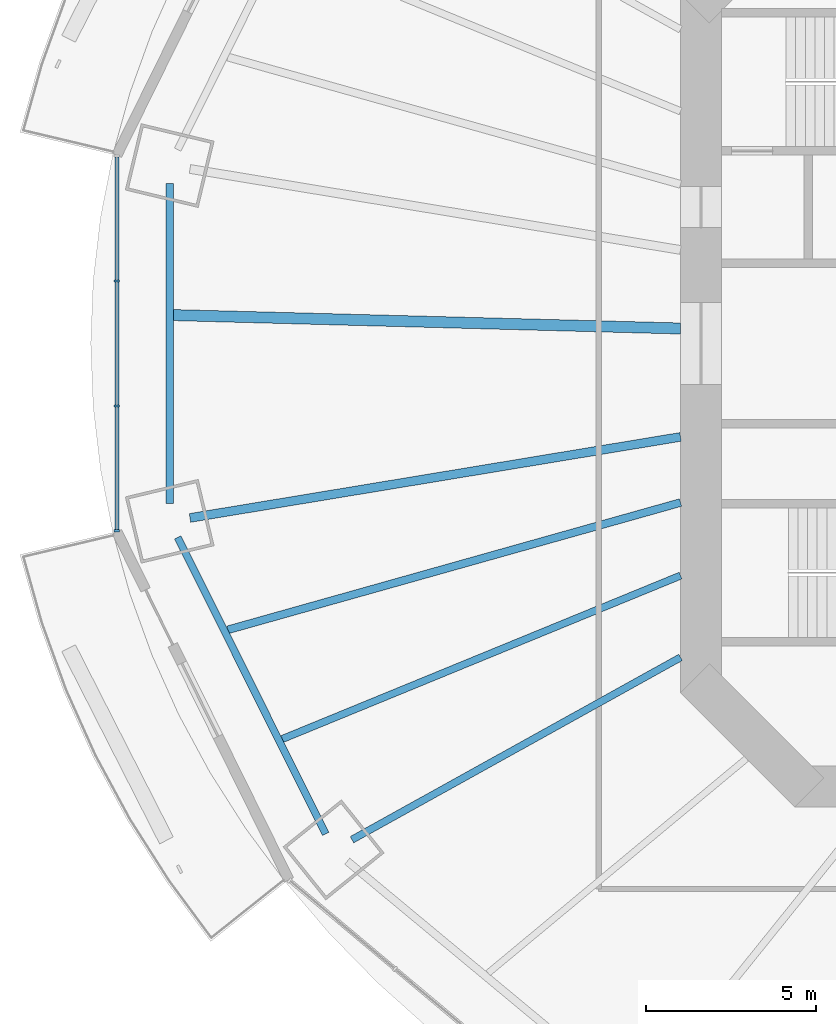
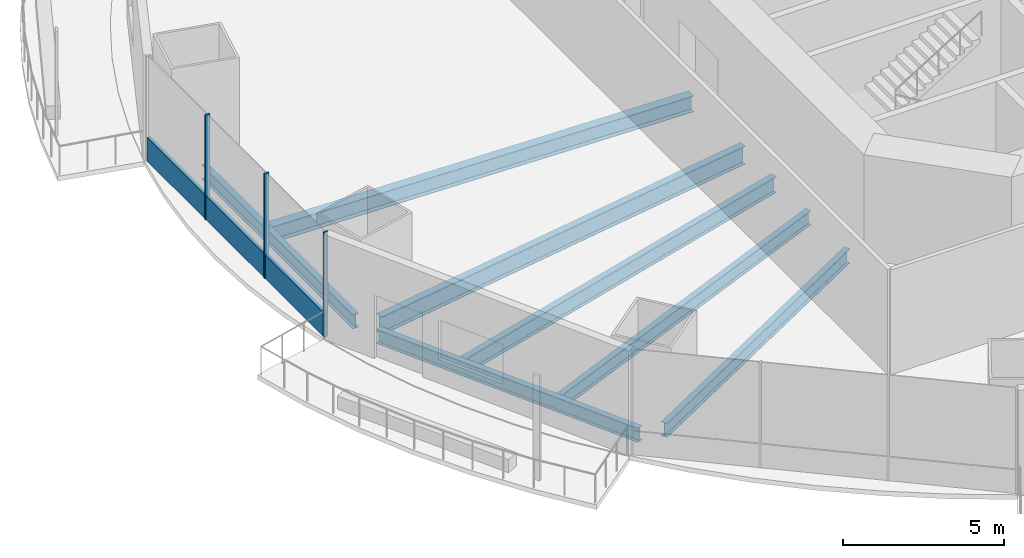
# One storey, part 3 of 21: 7 beams, 4 members, 1 element without a shape of its own.
"""IFC4 building model written with IfcOpenShell, lengths in metres."""

import ifcopenshell
import ifcopenshell.guid

model = None  # the IFC model being written
_history = None  # IfcOwnerHistory: only IFC2X3 demands one
_inside = {}  # id of a spatial element -> (the spatial element, [elements in it])
_under = {}  # id of a project, library or spatial element -> (it, [spatial elements below it])
_declared = {}  # id of a project -> (the project, [libraries it declares])
_typed = {}  # id of a type object -> (the type object, [elements of that type])
_made_of = {}  # id of a material, layer set ... -> (it, [elements and type objects made of it])


def new_model(schema):
    """Start an empty IFC model of exactly this schema.

    Asked for "IFC4X3", IfcOpenShell would pick the latest addendum, in which some entities
    have other attributes; the version numbers below select the first issue.
    IFC2X3 requires an IfcOwnerHistory on every rooted entity: one is made here for all.
    """
    global model, _history
    if schema == "IFC4X3":
        model = ifcopenshell.file(schema_version=(4, 3, 0, 0))
    else:
        model = ifcopenshell.file(schema=schema)
    _inside.clear()
    _under.clear()
    _declared.clear()
    _typed.clear()
    _made_of.clear()
    _history = None
    if model.schema == "IFC2X3":
        org = make("IfcOrganization", Name="unknown")
        user = make(
            "IfcPersonAndOrganization",
            ThePerson=make("IfcPerson", FamilyName="unknown"),
            TheOrganization=org,
        )
        app = make(
            "IfcApplication",
            ApplicationDeveloper=org,
            Version="unknown",
            ApplicationFullName="unknown",
            ApplicationIdentifier="unknown",
        )
        _history = make(
            "IfcOwnerHistory",
            OwningUser=user,
            OwningApplication=app,
            ChangeAction="ADDED",
            CreationDate=0,
        )
    return model


def make(cls, **values):
    """One entity of the class cls with the attributes given. An attribute that is None is left unset."""
    return model.create_entity(
        cls, **{name: value for name, value in values.items() if value is not None}
    )


def rooted(cls, **values):
    """An entity with a GlobalId (a new one), such as an element, a storey or a relation."""
    return make(cls, GlobalId=ifcopenshell.guid.new(), OwnerHistory=_history, **values)


def si_unit(unit_type, name, prefix=None):
    """IfcSIUnit, for example si_unit("LENGTHUNIT", "METRE", prefix="MILLI")."""
    return make("IfcSIUnit", UnitType=unit_type, Prefix=prefix, Name=name)


def assignment(units):
    """IfcUnitAssignment: the units of a project."""
    return None if units is None else make("IfcUnitAssignment", Units=units)


def point(xyz):
    """IfcCartesianPoint."""
    return None if xyz is None else make("IfcCartesianPoint", Coordinates=xyz)


def direction(xyz):
    """IfcDirection."""
    return None if xyz is None else make("IfcDirection", DirectionRatios=xyz)


def frame(location, z_axis=None, x_axis=None):
    """IfcAxis2Placement3D, a coordinate frame: its origin and axes. An axis left out is left unset."""
    return make(
        "IfcAxis2Placement3D",
        Location=point(location),
        Axis=direction(z_axis),
        RefDirection=direction(x_axis),
    )


def frame_2d(location, x_axis=None):
    """IfcAxis2Placement2D, a coordinate frame in the plane: its origin and x axis."""
    return make(
        "IfcAxis2Placement2D", Location=point(location), RefDirection=direction(x_axis)
    )


def origin():
    """The frame at (0, 0, 0) with its axes left unset."""
    return frame((0.0, 0.0, 0.0))


def origin_2d():
    """The frame at (0, 0) in the plane with its x axis left unset."""
    return frame_2d((0.0, 0.0))


def place(relative_to, where):
    """IfcLocalPlacement: puts the frame where relative to a parent placement (None: the world)."""
    return make(
        "IfcLocalPlacement", PlacementRelTo=relative_to, RelativePlacement=where
    )


def context(
    kind, dimensions, precision=None, world=None, true_north=None, identifier=None
):
    """IfcGeometricRepresentationContext, for example the 3D "Model" context."""
    return make(
        "IfcGeometricRepresentationContext",
        ContextIdentifier=identifier,
        ContextType=kind,
        CoordinateSpaceDimension=dimensions,
        Precision=precision,
        WorldCoordinateSystem=world,
        TrueNorth=true_north,
    )


def subcontext(parent, identifier, kind, view, scale=None):
    """IfcGeometricRepresentationSubContext, for example "Body" below "Model"."""
    return make(
        "IfcGeometricRepresentationSubContext",
        ContextIdentifier=identifier,
        ContextType=kind,
        ParentContext=parent,
        TargetScale=scale,
        TargetView=view,
    )


def project(units=None, contexts=None):
    """IfcProject with its units and contexts."""
    return rooted(
        "IfcProject",
        Name="project",
        RepresentationContexts=contexts,
        UnitsInContext=assignment(units),
    )


def spatial(cls, under=None, at=None, **own):
    """A site, building, storey or space (cls), placed at a placement, below another one or the project."""
    s = rooted(cls, ObjectPlacement=at, **own)
    if under is not None:
        _under.setdefault(under.id(), (under, []))[1].append(s)
    return s


def profile(cls, at=None, kind="AREA", **sizes):
    """A parametric profile (cls). Its sizes go by their IFC names, for example OverallWidth=200.0."""
    return make(cls, ProfileType=kind, Position=at, **sizes)


def rectangle(**sizes):
    """IfcRectangleProfileDef."""
    return profile("IfcRectangleProfileDef", **sizes)


def i_section(**sizes):
    """IfcIShapeProfileDef."""
    return profile("IfcIShapeProfileDef", **sizes)


def extrude(swept, where, along, depth):
    """IfcExtrudedAreaSolid: the profile swept, set in the frame where, extruded along a direction by depth."""
    return make(
        "IfcExtrudedAreaSolid",
        SweptArea=swept,
        Position=where,
        ExtrudedDirection=direction(along),
        Depth=depth,
    )


def shape(context_of_items, identifier, shape_type, items):
    """IfcShapeRepresentation: the items that make up one representation, for example the "Body"."""
    return make(
        "IfcShapeRepresentation",
        ContextOfItems=context_of_items,
        RepresentationIdentifier=identifier,
        RepresentationType=shape_type,
        Items=items,
    )


def material(Name=None, Category=None):
    """IfcMaterial."""
    return make("IfcMaterial", Name=Name, Category=Category)


def material_profile(
    of_material, cross_section, Name=None, Category=None, Priority=None
):
    """IfcMaterialProfile: a cross section and its material."""
    return make(
        "IfcMaterialProfile",
        Name=Name,
        Material=of_material,
        Profile=cross_section,
        Priority=Priority,
        Category=Category,
    )


def profile_set(profiles, Name=None, composite=None):
    """IfcMaterialProfileSet."""
    return make(
        "IfcMaterialProfileSet",
        Name=Name,
        MaterialProfiles=profiles,
        CompositeProfile=composite,
    )


def made_of(thing, what):
    """Note that an element or type object is made of a material, layer set ...; save() writes the relation."""
    if what is not None:
        _made_of.setdefault(what.id(), (what, []))[1].append(thing)
    return thing


def type_object(cls, material=None, **own):
    """A type object (cls), such as IfcWallType, which elements share."""
    return made_of(rooted(cls, **own), material)


def element(
    cls,
    number,
    at=None,
    inside=None,
    cuts=None,
    type_object=None,
    material=None,
    context=None,
    identifier="Body",
    shape_type=None,
    held_by="IfcProductDefinitionShape",
    body=None,
    shapes=None,
    **own,
):
    """One element of the class cls, such as IfcWall. Its Tag is "e" and its number.

    at: its placement. inside: the storey or other place that contains it. cuts: it is an
    opening in that element (IfcRelVoidsElement). A single representation is given by context,
    identifier, shape_type and body (its items); several are given by shapes. held_by: the class
    of the entity that holds the representations. save() writes the other relations.
    """
    e = rooted(cls, Tag="e%d" % number, ObjectPlacement=at, **own)
    if body is not None:
        shapes = [shape(context, identifier, shape_type, body)]
    if shapes is not None:
        e.Representation = make(held_by, Representations=shapes)
    if inside is not None:
        _inside.setdefault(inside.id(), (inside, []))[1].append(e)
    if cuts is not None:
        rooted(
            "IfcRelVoidsElement", RelatingBuildingElement=cuts, RelatedOpeningElement=e
        )
    if type_object is not None:
        _typed.setdefault(type_object.id(), (type_object, []))[1].append(e)
    return made_of(e, material)


def aggregate(whole, parts):
    """IfcRelAggregates: a whole, such as a stair, and the parts it consists of."""
    return rooted("IfcRelAggregates", RelatingObject=whole, RelatedObjects=parts)


def save(model, path):
    """Write the relations noted so far, then the file.

    IfcRelAggregates (storeys below a building ...), IfcRelContainedInSpatialStructure (elements
    in a storey), IfcRelDefinesByType, IfcRelAssociatesMaterial and IfcRelDeclares: one each for
    every whole, place, type object, material and project.
    """
    for whole, parts in _under.values():
        aggregate(whole, parts)
    for where, things in _inside.values():
        rooted(
            "IfcRelContainedInSpatialStructure",
            RelatedElements=things,
            RelatingStructure=where,
        )
    for kind, things in _typed.values():
        rooted("IfcRelDefinesByType", RelatedObjects=things, RelatingType=kind)
    for what, things in _made_of.values():
        rooted("IfcRelAssociatesMaterial", RelatedObjects=things, RelatingMaterial=what)
    for by, libraries in _declared.values():
        rooted("IfcRelDeclares", RelatingContext=by, RelatedDefinitions=libraries)
    model.write(path)


model = new_model("IFC4")

# Units and contexts
model_context = context("Model", 3, precision=1e-05, world=origin(), true_north=direction((0.0, 1.0)))
body_context = subcontext(model_context, "Body", "Model", "MODEL_VIEW")
ifc_project = project(units=[si_unit("LENGTHUNIT", "METRE"), si_unit("AREAUNIT", "SQUARE_METRE"), si_unit("VOLUMEUNIT", "CUBIC_METRE"), si_unit("PLANEANGLEUNIT", "RADIAN"), si_unit("MASSUNIT", "GRAM", prefix="KILO")], contexts=[model_context])

# Site, building, storey
site_placement = place(None, origin())
site = spatial("IfcSite", under=ifc_project, at=site_placement, CompositionType="ELEMENT")
building_placement = place(site_placement, origin())
building = spatial("IfcBuilding", under=site, at=building_placement, Name="Marenthal Gate Tower", CompositionType="ELEMENT")
storey_placement = place(building_placement, frame((0.0, 0.0, 128.449951171875)))
storey = spatial("IfcBuildingStorey", under=building, at=storey_placement, Name="L27", CompositionType="ELEMENT", Elevation=128.449951171875)

# Curtain wall, members
ifc_material_1 = material(Name="Aluminium and glass", Category="aluminium")
curtain_wall_type = type_object("IfcCurtainWallType", Name="Curtain wall typical low", PredefinedType="NOTDEFINED", material=ifc_material_1)
curtain_wall_placement = place(storey_placement, origin())
curtain_wall = element("IfcCurtainWall", 1, at=curtain_wall_placement, inside=storey, type_object=curtain_wall_type, Name="Curtain wall L27 bay 8", PredefinedType="NOTDEFINED")
ifc_material_2 = material(Name="Aluminium", Category="aluminium")
ifc_material_profile_1 = material_profile(ifc_material_2, rectangle(XDim=0.159912109375, YDim=0.06005859375, at=origin_2d()), Name="60x160 aluminium mullion")
ifc_profile_set_1 = profile_set([ifc_material_profile_1], Name="Aluminium")
member_type_1 = type_object("IfcMemberType", Name="Mullion 60x160 typical low", PredefinedType="MULLION", material=ifc_profile_set_1)
member_1_placement = place(storey_placement, frame((-33.134765625, 1.831787109375, 0.0), z_axis=(0.0, 0.0, 1.0), x_axis=(1.0, 0.0, 0.0)))
member_1 = element("IfcMember", 2, at=member_1_placement, type_object=member_type_1, Name="Mullion L27 bay 8.2", PredefinedType="MULLION", context=body_context, shape_type="SweptSolid", body=[
    extrude(rectangle(XDim=0.159912109375, YDim=0.06005859375, at=origin_2d()), origin(), (0.0, 0.0, 1.0), 3.969970703125),
])
member_2_placement = place(storey_placement, frame((-33.134765625, -1.831787109375, 0.0), z_axis=(0.0, 0.0, 1.0), x_axis=(1.0, 0.0, 0.0)))
member_2 = element("IfcMember", 3, at=member_2_placement, type_object=member_type_1, Name="Mullion L27 bay 8.3", PredefinedType="MULLION", context=body_context, shape_type="SweptSolid", body=[
    extrude(rectangle(XDim=0.159912109375, YDim=0.06005859375, at=origin_2d()), origin(), (0.0, 0.0, 1.0), 3.969970703125),
])
member_3_placement = place(storey_placement, frame((-33.134765625, -5.495361328125, 0.0), z_axis=(0.0, 0.0, 1.0), x_axis=(1.0, 0.0, 0.0)))
member_3 = element("IfcMember", 4, at=member_3_placement, type_object=member_type_1, Name="Mullion L27 bay 8.4", PredefinedType="MULLION", context=body_context, shape_type="SweptSolid", body=[
    extrude(rectangle(XDim=0.159912109375, YDim=0.06005859375, at=origin_2d()), origin(), (0.0, 0.0, 1.0), 3.969970703125),
])
ifc_material_3 = material(Name="Aluminium", Category="aluminium")
ifc_material_profile_2 = material_profile(ifc_material_3, rectangle(XDim=0.1201171875, YDim=0.89990234375, at=origin_2d()), Name="120x900 aluminium transom")
ifc_profile_set_2 = profile_set([ifc_material_profile_2], Name="Aluminium")
member_type_2 = type_object("IfcMemberType", Name="Transom 120x900 typical low", PredefinedType="USERDEFINED", material=ifc_profile_set_2)
member_4_placement = place(storey_placement, frame((-33.134765625, 5.46533203125, 0.449951171875), z_axis=(0.0, -1.0, 0.0), x_axis=(1.0, 0.0, 0.0)))
member_4 = element("IfcMember", 5, at=member_4_placement, type_object=member_type_2, Name="Transom L27 bay 8", ObjectType="TRANSOM", PredefinedType="USERDEFINED", context=body_context, shape_type="SweptSolid", body=[
    extrude(rectangle(XDim=0.1201171875, YDim=0.89990234375, at=origin_2d()), origin(), (0.0, 0.0, 1.0), 10.9306640625),
])
aggregate(curtain_wall, [member_1, member_2, member_3, member_4])

# Beams
ifc_material_4 = material(Name="Steel S355", Category="steel")
ifc_material_profile_3 = material_profile(ifc_material_4, i_section(OverallWidth=0.2119140625, OverallDepth=0.5439453125, WebThickness=0.01318359375, FlangeThickness=0.021240234375, FilletRadius=0.0126953125, at=origin_2d()), Name="W530X123")
ifc_profile_set_3 = profile_set([ifc_material_profile_3], Name="Steel S355")
beam_type_1 = type_object("IfcBeamType", Name="W530X123 beam", PredefinedType="BEAM", material=ifc_profile_set_3)
beam_1_placement = place(storey_placement, frame((-26.23779296875, -14.55810546875, -0.451904296875), z_axis=(0.874421492378, 0.485167036872, 0.0), x_axis=(-0.485167036872, 0.874421492378, 0.0)))
element("IfcBeam", 6, at=beam_1_placement, inside=storey, type_object=beam_type_1, Name="BM-L27-10", PredefinedType="BEAM", context=body_context, shape_type="SweptSolid", body=[
    extrude(i_section(OverallWidth=0.2119140625, OverallDepth=0.5439453125, WebThickness=0.01318359375, FlangeThickness=0.021240234375, FilletRadius=0.0126953125, at=origin_2d()), origin(), (0.0, 0.0, 1.0), 11.021728515625),
])
beam_2_placement = place(storey_placement, frame((-28.281005859375, -11.603515625, -0.451904296875), z_axis=(0.925153122317, 0.379594125702, 0.0), x_axis=(-0.379594125702, 0.925153122317, 0.0)))
element("IfcBeam", 7, at=beam_2_placement, inside=storey, type_object=beam_type_1, Name="BM-L27-30", PredefinedType="BEAM", context=body_context, shape_type="SweptSolid", body=[
    extrude(i_section(OverallWidth=0.2119140625, OverallDepth=0.5439453125, WebThickness=0.01318359375, FlangeThickness=0.021240234375, FilletRadius=0.0126953125, at=origin_2d()), origin(), (0.0, 0.0, 1.0), 12.6259765625),
])
beam_3_placement = place(storey_placement, frame((-31.585205078125, 4.688720703125, -0.451904296875), z_axis=(0.0, -1.0, 0.0), x_axis=(1.0, 0.0, 0.0)))
element("IfcBeam", 8, at=beam_3_placement, inside=storey, type_object=beam_type_1, Name="BM-L27-48", PredefinedType="BEAM", context=body_context, shape_type="SweptSolid", body=[
    extrude(i_section(OverallWidth=0.2119140625, OverallDepth=0.5439453125, WebThickness=0.01318359375, FlangeThickness=0.021240234375, FilletRadius=0.0126953125, at=origin_2d()), origin(), (0.0, 0.0, 1.0), 9.37744140625),
])
beam_4_placement = place(storey_placement, frame((-31.35009765625, -5.688232421875, -0.451904296875), z_axis=(0.446359643577, -0.894853657637, 0.0), x_axis=(0.894853657637, 0.446359643577, 0.0)))
element("IfcBeam", 9, at=beam_4_placement, inside=storey, type_object=beam_type_1, Name="BM-L27-49", PredefinedType="BEAM", context=body_context, shape_type="SweptSolid", body=[
    extrude(i_section(OverallWidth=0.2119140625, OverallDepth=0.5439453125, WebThickness=0.01318359375, FlangeThickness=0.021240234375, FilletRadius=0.0126953125, at=origin_2d()), origin(), (0.0, 0.0, 1.0), 9.72265625),
])
ifc_material_5 = material(Name="Steel S355", Category="steel")
ifc_material_profile_4 = material_profile(ifc_material_5, i_section(OverallWidth=0.22900390625, OverallDepth=0.612060546875, WebThickness=0.011962890625, FlangeThickness=0.01953125, FilletRadius=0.0126953125, at=origin_2d()), Name="W610X125")
ifc_profile_set_4 = profile_set([ifc_material_profile_4], Name="Steel S355")
beam_type_2 = type_object("IfcBeamType", Name="W610X125 beam", PredefinedType="BEAM", material=ifc_profile_set_4)
beam_5_placement = place(storey_placement, frame((-29.87841796875, -8.401123046875, -0.48583984375), z_axis=(0.962667661215, 0.270686117213, 0.0), x_axis=(-0.270686117213, 0.962667661215, 0.0)))
element("IfcBeam", 10, at=beam_5_placement, inside=storey, type_object=beam_type_2, Name="BM-L27-29", PredefinedType="BEAM", context=body_context, shape_type="SweptSolid", body=[
    extrude(i_section(OverallWidth=0.22900390625, OverallDepth=0.612060546875, WebThickness=0.011962890625, FlangeThickness=0.01953125, FilletRadius=0.0126953125, at=origin_2d()), origin(), (0.0, 0.0, 1.0), 13.793212890625),
])
ifc_material_6 = material(Name="Steel S355", Category="steel")
ifc_material_profile_5 = material_profile(ifc_material_6, i_section(OverallWidth=0.324951171875, OverallDepth=0.612060546875, WebThickness=0.0126953125, FlangeThickness=0.01904296875, FilletRadius=0.0126953125, at=origin_2d()), Name="W610X155")
ifc_profile_set_5 = profile_set([ifc_material_profile_5], Name="Steel S355")
beam_type_3 = type_object("IfcBeamType", Name="W610X155 beam", PredefinedType="BEAM", material=ifc_profile_set_5)
beam_6_placement = place(storey_placement, frame((-31.479248046875, 0.831787109375, -0.48583984375), z_axis=(0.999651246677, -0.026408048358, 0.0), x_axis=(0.026408048358, 0.999651246677, 0.0)))
element("IfcBeam", 11, at=beam_6_placement, inside=storey, type_object=beam_type_3, Name="BM-L27-28", PredefinedType="BEAM", context=body_context, shape_type="SweptSolid", body=[
    extrude(i_section(OverallWidth=0.324951171875, OverallDepth=0.612060546875, WebThickness=0.0126953125, FlangeThickness=0.01904296875, FilletRadius=0.0126953125, at=origin_2d()), origin(), (0.0, 0.0, 1.0), 14.88427734375),
])
ifc_material_7 = material(Name="Steel S355", Category="steel")
ifc_material_profile_6 = material_profile(ifc_material_7, i_section(OverallWidth=0.257080078125, OverallDepth=0.693115234375, WebThickness=0.014404296875, FlangeThickness=0.023681640625, FilletRadius=0.015380859375, at=origin_2d()), Name="W690X170")
ifc_profile_set_6 = profile_set([ifc_material_profile_6], Name="Steel S355")
beam_type_4 = type_object("IfcBeamType", Name="W690X170 beam", PredefinedType="BEAM", material=ifc_profile_set_6)
beam_7_placement = place(storey_placement, frame((-30.990478515625, -5.118896484375, -0.5263671875), z_axis=(0.986631300462, 0.162968331122, 0.0), x_axis=(-0.162968331122, 0.986631300462, 0.0)))
element("IfcBeam", 12, at=beam_7_placement, inside=storey, type_object=beam_type_4, Name="BM-L27-09", PredefinedType="BEAM", context=body_context, shape_type="SweptSolid", body=[
    extrude(i_section(OverallWidth=0.257080078125, OverallDepth=0.693115234375, WebThickness=0.014404296875, FlangeThickness=0.023681640625, FilletRadius=0.015380859375, at=origin_2d()), origin(), (0.0, 0.0, 1.0), 14.58544921875),
])

save(model, "model.ifc")
